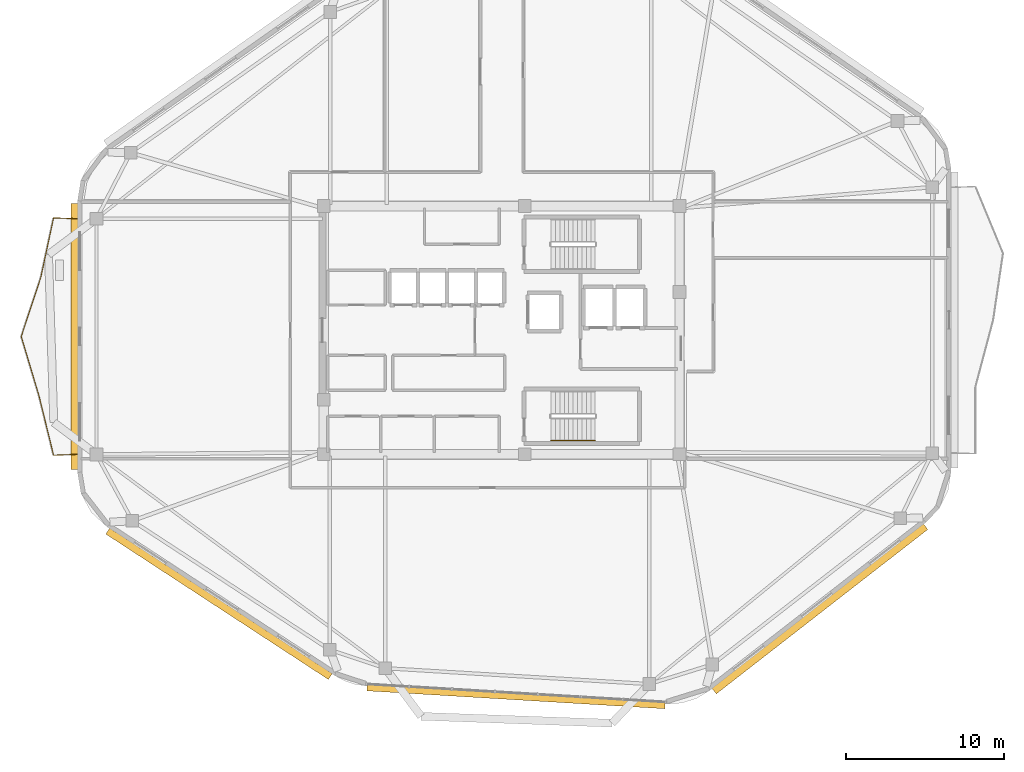
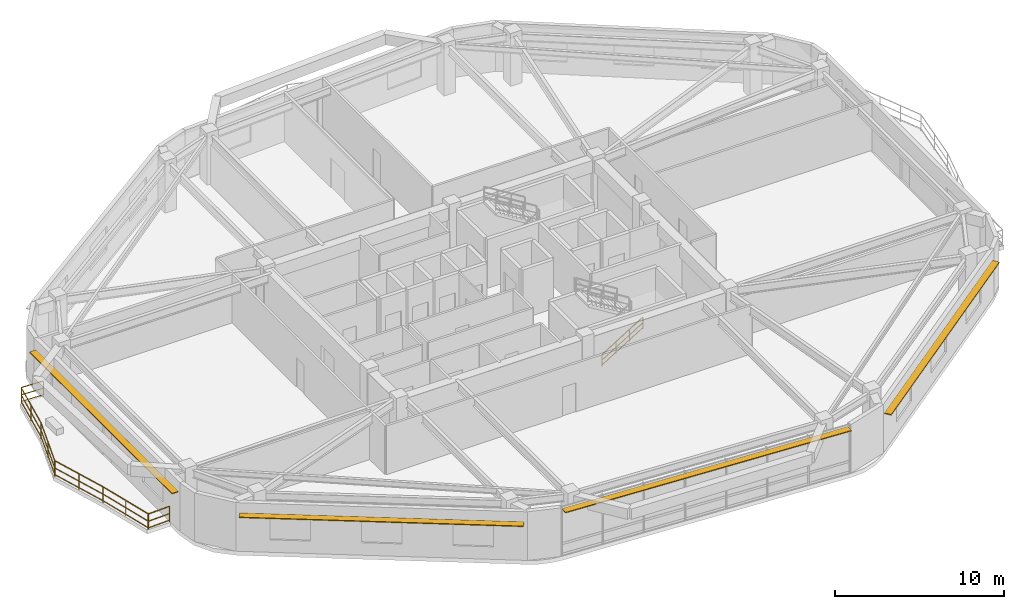
# One storey, part 10 of 12: 7 railings, 4 shading devices.
"""IFC4 building model written with IfcOpenShell, lengths in metres."""

import ifcopenshell
import ifcopenshell.guid

model = None  # the IFC model being written
_history = None  # IfcOwnerHistory: only IFC2X3 demands one
_inside = {}  # id of a spatial element -> (the spatial element, [elements in it])
_under = {}  # id of a project, library or spatial element -> (it, [spatial elements below it])
_declared = {}  # id of a project -> (the project, [libraries it declares])
_typed = {}  # id of a type object -> (the type object, [elements of that type])
_made_of = {}  # id of a material, layer set ... -> (it, [elements and type objects made of it])


def new_model(schema):
    """Start an empty IFC model of exactly this schema.

    Asked for "IFC4X3", IfcOpenShell would pick the latest addendum, in which some entities
    have other attributes; the version numbers below select the first issue.
    IFC2X3 requires an IfcOwnerHistory on every rooted entity: one is made here for all.
    """
    global model, _history
    if schema == "IFC4X3":
        model = ifcopenshell.file(schema_version=(4, 3, 0, 0))
    else:
        model = ifcopenshell.file(schema=schema)
    _inside.clear()
    _under.clear()
    _declared.clear()
    _typed.clear()
    _made_of.clear()
    _history = None
    if model.schema == "IFC2X3":
        org = make("IfcOrganization", Name="unknown")
        user = make(
            "IfcPersonAndOrganization",
            ThePerson=make("IfcPerson", FamilyName="unknown"),
            TheOrganization=org,
        )
        app = make(
            "IfcApplication",
            ApplicationDeveloper=org,
            Version="unknown",
            ApplicationFullName="unknown",
            ApplicationIdentifier="unknown",
        )
        _history = make(
            "IfcOwnerHistory",
            OwningUser=user,
            OwningApplication=app,
            ChangeAction="ADDED",
            CreationDate=0,
        )
    return model


def make(cls, **values):
    """One entity of the class cls with the attributes given. An attribute that is None is left unset."""
    return model.create_entity(
        cls, **{name: value for name, value in values.items() if value is not None}
    )


def rooted(cls, **values):
    """An entity with a GlobalId (a new one), such as an element, a storey or a relation."""
    return make(cls, GlobalId=ifcopenshell.guid.new(), OwnerHistory=_history, **values)


def si_unit(unit_type, name, prefix=None):
    """IfcSIUnit, for example si_unit("LENGTHUNIT", "METRE", prefix="MILLI")."""
    return make("IfcSIUnit", UnitType=unit_type, Prefix=prefix, Name=name)


def assignment(units):
    """IfcUnitAssignment: the units of a project."""
    return None if units is None else make("IfcUnitAssignment", Units=units)


def point(xyz):
    """IfcCartesianPoint."""
    return None if xyz is None else make("IfcCartesianPoint", Coordinates=xyz)


def direction(xyz):
    """IfcDirection."""
    return None if xyz is None else make("IfcDirection", DirectionRatios=xyz)


def frame(location, z_axis=None, x_axis=None):
    """IfcAxis2Placement3D, a coordinate frame: its origin and axes. An axis left out is left unset."""
    return make(
        "IfcAxis2Placement3D",
        Location=point(location),
        Axis=direction(z_axis),
        RefDirection=direction(x_axis),
    )


def frame_2d(location, x_axis=None):
    """IfcAxis2Placement2D, a coordinate frame in the plane: its origin and x axis."""
    return make(
        "IfcAxis2Placement2D", Location=point(location), RefDirection=direction(x_axis)
    )


def origin():
    """The frame at (0, 0, 0) with its axes left unset."""
    return frame((0.0, 0.0, 0.0))


def origin_2d():
    """The frame at (0, 0) in the plane with its x axis left unset."""
    return frame_2d((0.0, 0.0))


def place(relative_to, where):
    """IfcLocalPlacement: puts the frame where relative to a parent placement (None: the world)."""
    return make(
        "IfcLocalPlacement", PlacementRelTo=relative_to, RelativePlacement=where
    )


def context(
    kind, dimensions, precision=None, world=None, true_north=None, identifier=None
):
    """IfcGeometricRepresentationContext, for example the 3D "Model" context."""
    return make(
        "IfcGeometricRepresentationContext",
        ContextIdentifier=identifier,
        ContextType=kind,
        CoordinateSpaceDimension=dimensions,
        Precision=precision,
        WorldCoordinateSystem=world,
        TrueNorth=true_north,
    )


def subcontext(parent, identifier, kind, view, scale=None):
    """IfcGeometricRepresentationSubContext, for example "Body" below "Model"."""
    return make(
        "IfcGeometricRepresentationSubContext",
        ContextIdentifier=identifier,
        ContextType=kind,
        ParentContext=parent,
        TargetScale=scale,
        TargetView=view,
    )


def project(units=None, contexts=None):
    """IfcProject with its units and contexts."""
    return rooted(
        "IfcProject",
        Name="project",
        RepresentationContexts=contexts,
        UnitsInContext=assignment(units),
    )


def spatial(cls, under=None, at=None, **own):
    """A site, building, storey or space (cls), placed at a placement, below another one or the project."""
    s = rooted(cls, ObjectPlacement=at, **own)
    if under is not None:
        _under.setdefault(under.id(), (under, []))[1].append(s)
    return s


def profile(cls, at=None, kind="AREA", **sizes):
    """A parametric profile (cls). Its sizes go by their IFC names, for example OverallWidth=200.0."""
    return make(cls, ProfileType=kind, Position=at, **sizes)


def rectangle(**sizes):
    """IfcRectangleProfileDef."""
    return profile("IfcRectangleProfileDef", **sizes)


def extrude(swept, where, along, depth):
    """IfcExtrudedAreaSolid: the profile swept, set in the frame where, extruded along a direction by depth."""
    return make(
        "IfcExtrudedAreaSolid",
        SweptArea=swept,
        Position=where,
        ExtrudedDirection=direction(along),
        Depth=depth,
    )


def shape(context_of_items, identifier, shape_type, items):
    """IfcShapeRepresentation: the items that make up one representation, for example the "Body"."""
    return make(
        "IfcShapeRepresentation",
        ContextOfItems=context_of_items,
        RepresentationIdentifier=identifier,
        RepresentationType=shape_type,
        Items=items,
    )


def material(Name=None, Category=None):
    """IfcMaterial."""
    return make("IfcMaterial", Name=Name, Category=Category)


def layer(
    of_material, thickness, ventilated=None, Name=None, Category=None, Priority=None
):
    """IfcMaterialLayer: one layer of a wall or slab, of a material (None: an air gap)."""
    return make(
        "IfcMaterialLayer",
        Material=of_material,
        LayerThickness=thickness,
        IsVentilated=ventilated,
        Name=Name,
        Category=Category,
        Priority=Priority,
    )


def layer_set(layers, Name=None):
    """IfcMaterialLayerSet."""
    return make("IfcMaterialLayerSet", MaterialLayers=layers, LayerSetName=Name)


def made_of(thing, what):
    """Note that an element or type object is made of a material, layer set ...; save() writes the relation."""
    if what is not None:
        _made_of.setdefault(what.id(), (what, []))[1].append(thing)
    return thing


def type_object(cls, material=None, **own):
    """A type object (cls), such as IfcWallType, which elements share."""
    return made_of(rooted(cls, **own), material)


def element(
    cls,
    number,
    at=None,
    inside=None,
    cuts=None,
    type_object=None,
    material=None,
    context=None,
    identifier="Body",
    shape_type=None,
    held_by="IfcProductDefinitionShape",
    body=None,
    shapes=None,
    **own,
):
    """One element of the class cls, such as IfcWall. Its Tag is "e" and its number.

    at: its placement. inside: the storey or other place that contains it. cuts: it is an
    opening in that element (IfcRelVoidsElement). A single representation is given by context,
    identifier, shape_type and body (its items); several are given by shapes. held_by: the class
    of the entity that holds the representations. save() writes the other relations.
    """
    e = rooted(cls, Tag="e%d" % number, ObjectPlacement=at, **own)
    if body is not None:
        shapes = [shape(context, identifier, shape_type, body)]
    if shapes is not None:
        e.Representation = make(held_by, Representations=shapes)
    if inside is not None:
        _inside.setdefault(inside.id(), (inside, []))[1].append(e)
    if cuts is not None:
        rooted(
            "IfcRelVoidsElement", RelatingBuildingElement=cuts, RelatedOpeningElement=e
        )
    if type_object is not None:
        _typed.setdefault(type_object.id(), (type_object, []))[1].append(e)
    return made_of(e, material)


def aggregate(whole, parts):
    """IfcRelAggregates: a whole, such as a stair, and the parts it consists of."""
    return rooted("IfcRelAggregates", RelatingObject=whole, RelatedObjects=parts)


def save(model, path):
    """Write the relations noted so far, then the file.

    IfcRelAggregates (storeys below a building ...), IfcRelContainedInSpatialStructure (elements
    in a storey), IfcRelDefinesByType, IfcRelAssociatesMaterial and IfcRelDeclares: one each for
    every whole, place, type object, material and project.
    """
    for whole, parts in _under.values():
        aggregate(whole, parts)
    for where, things in _inside.values():
        rooted(
            "IfcRelContainedInSpatialStructure",
            RelatedElements=things,
            RelatingStructure=where,
        )
    for kind, things in _typed.values():
        rooted("IfcRelDefinesByType", RelatedObjects=things, RelatingType=kind)
    for what, things in _made_of.values():
        rooted("IfcRelAssociatesMaterial", RelatedObjects=things, RelatingMaterial=what)
    for by, libraries in _declared.values():
        rooted("IfcRelDeclares", RelatingContext=by, RelatedDefinitions=libraries)
    model.write(path)


model = new_model("IFC4")

# Units and contexts
model_context = context("Model", 3, precision=1e-05, world=origin(), true_north=direction((0.0, 1.0)))
body_context = subcontext(model_context, "Body", "Model", "MODEL_VIEW")
ifc_project = project(units=[si_unit("LENGTHUNIT", "METRE"), si_unit("AREAUNIT", "SQUARE_METRE"), si_unit("VOLUMEUNIT", "CUBIC_METRE"), si_unit("PLANEANGLEUNIT", "RADIAN"), si_unit("MASSUNIT", "GRAM", prefix="KILO")], contexts=[model_context])

# Site, building, storey
site_placement = place(None, origin())
site = spatial("IfcSite", under=ifc_project, at=site_placement, CompositionType="ELEMENT")
building_placement = place(site_placement, origin())
building = spatial("IfcBuilding", under=site, at=building_placement, Name="Zulverin Broadcast Headquarters", CompositionType="ELEMENT")
storey_placement = place(building_placement, frame((0.0, 0.0, 255.39990234375)))
storey = spatial("IfcBuildingStorey", under=building, at=storey_placement, Name="L65", CompositionType="ELEMENT", Elevation=255.39990234375)

# Railings
ifc_material_1 = material(Name="Brushed stainless steel & laminated glass balustrade", Category="steel")
railing_type_1 = type_object("IfcRailingType", Name="RL-GUARD-1150", PredefinedType="GUARDRAIL", material=ifc_material_1)
railing_1_placement = place(storey_placement, frame((10.06005859375, 32.265380859375, 0.0)))
element("IfcRailing", 1, at=railing_1_placement, inside=storey, type_object=railing_type_1, Name="L65 Vertical-Forest Balcony Guardrail BAL_W Segment 01", PredefinedType="GUARDRAIL", context=body_context, shape_type="SweptSolid", body=[
    extrude(rectangle(XDim=0.048095703125, YDim=0.048095703125, at=origin_2d()), frame((0.0, 0.0, 1.1259765625), z_axis=(-0.999181155166, 0.040460093435, 0.0), x_axis=(-0.040460093435, -0.999181155166, 0.0)), (0.0, 0.0, 1.0), 1.46630859375),
    extrude(rectangle(XDim=0.0419921875, YDim=0.0419921875, at=origin_2d()), frame((0.0, 0.0, 0.597900390625), z_axis=(-0.999181155166, 0.040460093435, 0.0), x_axis=(-0.040460093435, -0.999181155166, 0.0)), (0.0, 0.0, 1.0), 1.46630859375),
    extrude(rectangle(XDim=0.0419921875, YDim=0.0419921875, at=origin_2d()), frame((0.0, 0.0, 0.1201171875), z_axis=(-0.999181155166, 0.040460093435, 0.0), x_axis=(-0.040460093435, -0.999181155166, 0.0)), (0.0, 0.0, 1.0), 1.46630859375),
    extrude(rectangle(XDim=0.0419921875, YDim=0.0419921875, at=origin_2d()), origin(), (0.0, 0.0, 1.0), 1.101806640625),
    extrude(rectangle(XDim=0.0419921875, YDim=0.0419921875, at=origin_2d()), frame((-1.465087890625, 0.059326171875, 0.0)), (0.0, 0.0, 1.0), 1.101806640625),
])
railing_2_placement = place(storey_placement, frame((8.576904296875, 32.310546875, 0.0)))
element("IfcRailing", 2, at=railing_2_placement, inside=storey, type_object=railing_type_1, Name="L65 Vertical-Forest Balcony Guardrail BAL_W Segment 02", PredefinedType="GUARDRAIL", context=body_context, shape_type="SweptSolid", body=[
    extrude(rectangle(XDim=0.048095703125, YDim=0.048095703125, at=origin_2d()), frame((0.0, 0.0, 1.1259765625), z_axis=(-0.209825884115, -0.977738767952, 0.0), x_axis=(0.977738767952, -0.209825884115, 0.0)), (0.0, 0.0, 1.0), 3.81982421875),
    extrude(rectangle(XDim=0.0419921875, YDim=0.0419921875, at=origin_2d()), frame((0.0, 0.0, 0.597900390625), z_axis=(-0.209825884115, -0.977738767952, 0.0), x_axis=(0.977738767952, -0.209825884115, 0.0)), (0.0, 0.0, 1.0), 3.81982421875),
    extrude(rectangle(XDim=0.0419921875, YDim=0.0419921875, at=origin_2d()), frame((0.0, 0.0, 0.1201171875), z_axis=(-0.209825884115, -0.977738767952, 0.0), x_axis=(0.977738767952, -0.209825884115, 0.0)), (0.0, 0.0, 1.0), 3.81982421875),
    extrude(rectangle(XDim=0.0419921875, YDim=0.0419921875, at=origin_2d()), origin(), (0.0, 0.0, 1.0), 1.101806640625),
    extrude(rectangle(XDim=0.0419921875, YDim=0.0419921875, at=origin_2d()), frame((-0.40087890625, -1.867431640625, 0.0)), (0.0, 0.0, 1.0), 1.101806640625),
    extrude(rectangle(XDim=0.0419921875, YDim=0.0419921875, at=origin_2d()), frame((-0.801513671875, -3.73486328125, 0.0)), (0.0, 0.0, 1.0), 1.101806640625),
])
railing_3_placement = place(storey_placement, frame((7.767578125, 28.546875, 0.0)))
element("IfcRailing", 3, at=railing_3_placement, inside=storey, type_object=railing_type_1, Name="L65 Vertical-Forest Balcony Guardrail BAL_W Segment 03", PredefinedType="GUARDRAIL", context=body_context, shape_type="SweptSolid", body=[
    extrude(rectangle(XDim=0.048095703125, YDim=0.048095703125, at=origin_2d()), frame((0.0, 0.0, 1.1259765625), z_axis=(-0.313414952188, -0.949616273947, 0.0), x_axis=(0.949616273947, -0.313414952188, 0.0)), (0.0, 0.0, 1.0), 3.933837890625),
    extrude(rectangle(XDim=0.0419921875, YDim=0.0419921875, at=origin_2d()), frame((0.0, 0.0, 0.597900390625), z_axis=(-0.313414952188, -0.949616273947, 0.0), x_axis=(0.949616273947, -0.313414952188, 0.0)), (0.0, 0.0, 1.0), 3.933837890625),
    extrude(rectangle(XDim=0.0419921875, YDim=0.0419921875, at=origin_2d()), frame((0.0, 0.0, 0.1201171875), z_axis=(-0.313414952188, -0.949616273947, 0.0), x_axis=(0.949616273947, -0.313414952188, 0.0)), (0.0, 0.0, 1.0), 3.933837890625),
    extrude(rectangle(XDim=0.0419921875, YDim=0.0419921875, at=origin_2d()), origin(), (0.0, 0.0, 1.0), 1.101806640625),
    extrude(rectangle(XDim=0.0419921875, YDim=0.0419921875, at=origin_2d()), frame((-0.616455078125, -1.86767578125, 0.0)), (0.0, 0.0, 1.0), 1.101806640625),
    extrude(rectangle(XDim=0.0419921875, YDim=0.0419921875, at=origin_2d()), frame((-1.23291015625, -3.735595703125, 0.0)), (0.0, 0.0, 1.0), 1.101806640625),
])
railing_4_placement = place(storey_placement, frame((6.5341796875, 24.78271484375, 0.0)))
element("IfcRailing", 4, at=railing_4_placement, inside=storey, type_object=railing_type_1, Name="L65 Vertical-Forest Balcony Guardrail BAL_W Segment 04", PredefinedType="GUARDRAIL", context=body_context, shape_type="SweptSolid", body=[
    extrude(rectangle(XDim=0.048095703125, YDim=0.048095703125, at=origin_2d()), frame((0.0, 0.0, 1.1259765625), z_axis=(0.287043461913, -0.957917559591, 0.0), x_axis=(0.957917559591, 0.287043461913, 0.0)), (0.0, 0.0, 1.0), 3.899658203125),
    extrude(rectangle(XDim=0.0419921875, YDim=0.0419921875, at=origin_2d()), frame((0.0, 0.0, 0.597900390625), z_axis=(0.287043461913, -0.957917559591, 0.0), x_axis=(0.957917559591, 0.287043461913, 0.0)), (0.0, 0.0, 1.0), 3.899658203125),
    extrude(rectangle(XDim=0.0419921875, YDim=0.0419921875, at=origin_2d()), frame((0.0, 0.0, 0.1201171875), z_axis=(0.287043461913, -0.957917559591, 0.0), x_axis=(0.957917559591, 0.287043461913, 0.0)), (0.0, 0.0, 1.0), 3.899658203125),
    extrude(rectangle(XDim=0.0419921875, YDim=0.0419921875, at=origin_2d()), origin(), (0.0, 0.0, 1.0), 1.101806640625),
    extrude(rectangle(XDim=0.0419921875, YDim=0.0419921875, at=origin_2d()), frame((0.5595703125, -1.86767578125, 0.0)), (0.0, 0.0, 1.0), 1.101806640625),
    extrude(rectangle(XDim=0.0419921875, YDim=0.0419921875, at=origin_2d()), frame((1.119384765625, -3.735595703125, 0.0)), (0.0, 0.0, 1.0), 1.101806640625),
])
railing_5_placement = place(storey_placement, frame((7.66162109375, 21.018310546875, 0.0)))
element("IfcRailing", 5, at=railing_5_placement, inside=storey, type_object=railing_type_1, Name="L65 Vertical-Forest Balcony Guardrail BAL_W Segment 05", PredefinedType="GUARDRAIL", context=body_context, shape_type="SweptSolid", body=[
    extrude(rectangle(XDim=0.048095703125, YDim=0.048095703125, at=origin_2d()), frame((0.0, 0.0, 1.1259765625), z_axis=(0.237887064581, -0.971292821195, 0.0), x_axis=(0.971292821195, 0.237887064581, 0.0)), (0.0, 0.0, 1.0), 3.845458984375),
    extrude(rectangle(XDim=0.0419921875, YDim=0.0419921875, at=origin_2d()), frame((0.0, 0.0, 0.597900390625), z_axis=(0.237887064581, -0.971292821195, 0.0), x_axis=(0.971292821195, 0.237887064581, 0.0)), (0.0, 0.0, 1.0), 3.845458984375),
    extrude(rectangle(XDim=0.0419921875, YDim=0.0419921875, at=origin_2d()), frame((0.0, 0.0, 0.1201171875), z_axis=(0.237887064581, -0.971292821195, 0.0), x_axis=(0.971292821195, 0.237887064581, 0.0)), (0.0, 0.0, 1.0), 3.845458984375),
    extrude(rectangle(XDim=0.0419921875, YDim=0.0419921875, at=origin_2d()), origin(), (0.0, 0.0, 1.0), 1.101806640625),
    extrude(rectangle(XDim=0.0419921875, YDim=0.0419921875, at=origin_2d()), frame((0.45751953125, -1.86767578125, 0.0)), (0.0, 0.0, 1.0), 1.101806640625),
    extrude(rectangle(XDim=0.0419921875, YDim=0.0419921875, at=origin_2d()), frame((0.914794921875, -3.735107421875, 0.0)), (0.0, 0.0, 1.0), 1.101806640625),
])
railing_6_placement = place(storey_placement, frame((8.594970703125, 17.269287109375, 0.0)))
element("IfcRailing", 6, at=railing_6_placement, inside=storey, type_object=railing_type_1, Name="L65 Vertical-Forest Balcony Guardrail BAL_W Segment 06", PredefinedType="GUARDRAIL", context=body_context, shape_type="SweptSolid", body=[
    extrude(rectangle(XDim=0.048095703125, YDim=0.048095703125, at=origin_2d()), frame((0.0, 0.0, 1.1259765625), z_axis=(0.999181155166, 0.040460093435, 0.0), x_axis=(-0.040460093435, 0.999181155166, 0.0)), (0.0, 0.0, 1.0), 1.46630859375),
    extrude(rectangle(XDim=0.0419921875, YDim=0.0419921875, at=origin_2d()), frame((0.0, 0.0, 0.597900390625), z_axis=(0.999181155166, 0.040460093435, 0.0), x_axis=(-0.040460093435, 0.999181155166, 0.0)), (0.0, 0.0, 1.0), 1.46630859375),
    extrude(rectangle(XDim=0.0419921875, YDim=0.0419921875, at=origin_2d()), frame((0.0, 0.0, 0.1201171875), z_axis=(0.999181155166, 0.040460093435, 0.0), x_axis=(-0.040460093435, 0.999181155166, 0.0)), (0.0, 0.0, 1.0), 1.46630859375),
    extrude(rectangle(XDim=0.0419921875, YDim=0.0419921875, at=origin_2d()), origin(), (0.0, 0.0, 1.0), 1.101806640625),
    extrude(rectangle(XDim=0.0419921875, YDim=0.0419921875, at=origin_2d()), frame((1.465087890625, 0.059326171875, 0.0)), (0.0, 0.0, 1.0), 1.101806640625),
])
ifc_material_2 = material(Name="Brushed stainless steel 48 mm handrail", Category="steel")
railing_type_2 = type_object("IfcRailingType", Name="RL-ST-HAND", PredefinedType="HANDRAIL", material=ifc_material_2)
railing_7_placement = place(storey_placement, frame((40.1298828125, 18.199951171875, 0.1728515625)))
element("IfcRailing", 7, at=railing_7_placement, inside=storey, type_object=railing_type_2, Name="L65 ST-2 stair handrail 1", PredefinedType="HANDRAIL", context=body_context, shape_type="SweptSolid", body=[
    extrude(rectangle(XDim=0.048095703125, YDim=0.048095703125, at=origin_2d()), frame((0.0, 0.0, 0.8759765625), z_axis=(0.851089632645, 0.0, 0.525020415988), x_axis=(0.0, 1.0, 0.0)), (0.0, 0.0, 1.0), 3.2900390625),
    extrude(rectangle(XDim=0.0419921875, YDim=0.0419921875, at=origin_2d()), frame((0.0, 0.0, 0.468017578125), z_axis=(0.851089632645, 0.0, 0.525020415988), x_axis=(0.0, 1.0, 0.0)), (0.0, 0.0, 1.0), 3.2900390625),
    extrude(rectangle(XDim=0.0419921875, YDim=0.0419921875, at=origin_2d()), frame((0.0, 0.0, 0.1201171875), z_axis=(0.851089632645, 0.0, 0.525020415988), x_axis=(0.0, 1.0, 0.0)), (0.0, 0.0, 1.0), 3.2900390625),
    extrude(rectangle(XDim=0.0419921875, YDim=0.0419921875, at=origin_2d()), origin(), (0.0, 0.0, 1.0), 0.851806640625),
    extrude(rectangle(XDim=0.0419921875, YDim=0.0419921875, at=origin_2d()), frame((0.933349609375, 0.0, 0.57568359375)), (0.0, 0.0, 1.0), 0.851806640625),
    extrude(rectangle(XDim=0.0419921875, YDim=0.0419921875, at=origin_2d()), frame((1.86669921875, 0.0, 1.151611328125)), (0.0, 0.0, 1.0), 0.851806640625),
    extrude(rectangle(XDim=0.0419921875, YDim=0.0419921875, at=origin_2d()), frame((2.800048828125, 0.0, 1.727294921875)), (0.0, 0.0, 1.0), 0.851806640625),
])

# Shading devices
ifc_material_3 = material(Name="Anodized pale-metal aluminium sunshade", Category="aluminium")
ifc_layer = layer(ifc_material_3, 0.06005859375, Name="Anodized pale-metal aluminium sunshade", Category="aluminium")
ifc_layer_set = layer_set([ifc_layer], Name="Anodized pale-metal aluminium sunshade")
shading_device_type = type_object("IfcShadingDeviceType", Name="SS-01_PALE_METAL_ALUMINIUM_SUNSHADE", PredefinedType="USERDEFINED", material=ifc_layer_set)
shading_device_1_placement = place(storey_placement, frame((37.91015625, 1.98388671875, 3.280029296875), z_axis=(0.0, 0.0, 1.0), x_axis=(0.998202681386, -0.059928347834, 0.0)))
element("IfcShadingDevice", 8, at=shading_device_1_placement, inside=storey, type_object=shading_device_type, Name="L65 Pale-Metal Horizontal Sunshade Band CW-L65-E1", ObjectType="SUNSHADE", PredefinedType="USERDEFINED", context=body_context, shape_type="SweptSolid", body=[
    extrude(rectangle(XDim=18.919677734375, YDim=0.449951171875, at=origin_2d()), origin(), (0.0, 0.0, 1.0), 0.06005859375),
])
shading_device_2_placement = place(storey_placement, frame((57.176025390625, 7.52685546875, 2.7099609375), z_axis=(0.0, 0.0, 1.0), x_axis=(0.789459183061, 0.613803061479, 0.0)))
element("IfcShadingDevice", 9, at=shading_device_2_placement, inside=storey, type_object=shading_device_type, Name="L65 Horizontal Pale-Metal Sunshade Band 2", ObjectType="SUNSHADE", PredefinedType="USERDEFINED", context=body_context, shape_type="SweptSolid", body=[
    extrude(rectangle(XDim=16.987548828125, YDim=0.449951171875, at=origin_2d()), origin(), (0.0, 0.0, 1.0), 0.06005859375),
])
shading_device_3_placement = place(storey_placement, frame((9.89990234375, 24.797119140625, 2.7099609375), z_axis=(0.0, 0.0, 1.0), x_axis=(0.0, -1.0, 0.0)))
element("IfcShadingDevice", 10, at=shading_device_3_placement, inside=storey, type_object=shading_device_type, Name="L65 Horizontal Pale-Metal Sunshade Band 7", ObjectType="SUNSHADE", PredefinedType="USERDEFINED", context=body_context, shape_type="SweptSolid", body=[
    extrude(rectangle(XDim=16.856689453125, YDim=0.449951171875, at=origin_2d()), origin(), (0.0, 0.0, 1.0), 0.06005859375),
])
shading_device_4_placement = place(storey_placement, frame((19.07177734375, 7.848388671875, 2.7099609375), z_axis=(0.0, 0.0, 1.0), x_axis=(0.837115830387, -0.54702567263, 0.0)))
element("IfcShadingDevice", 11, at=shading_device_4_placement, inside=storey, type_object=shading_device_type, Name="L65 Horizontal Pale-Metal Sunshade Band 8", ObjectType="SUNSHADE", PredefinedType="USERDEFINED", context=body_context, shape_type="SweptSolid", body=[
    extrude(rectangle(XDim=16.859130859375, YDim=0.449951171875, at=origin_2d()), origin(), (0.0, 0.0, 1.0), 0.06005859375),
])

save(model, "model.ifc")
